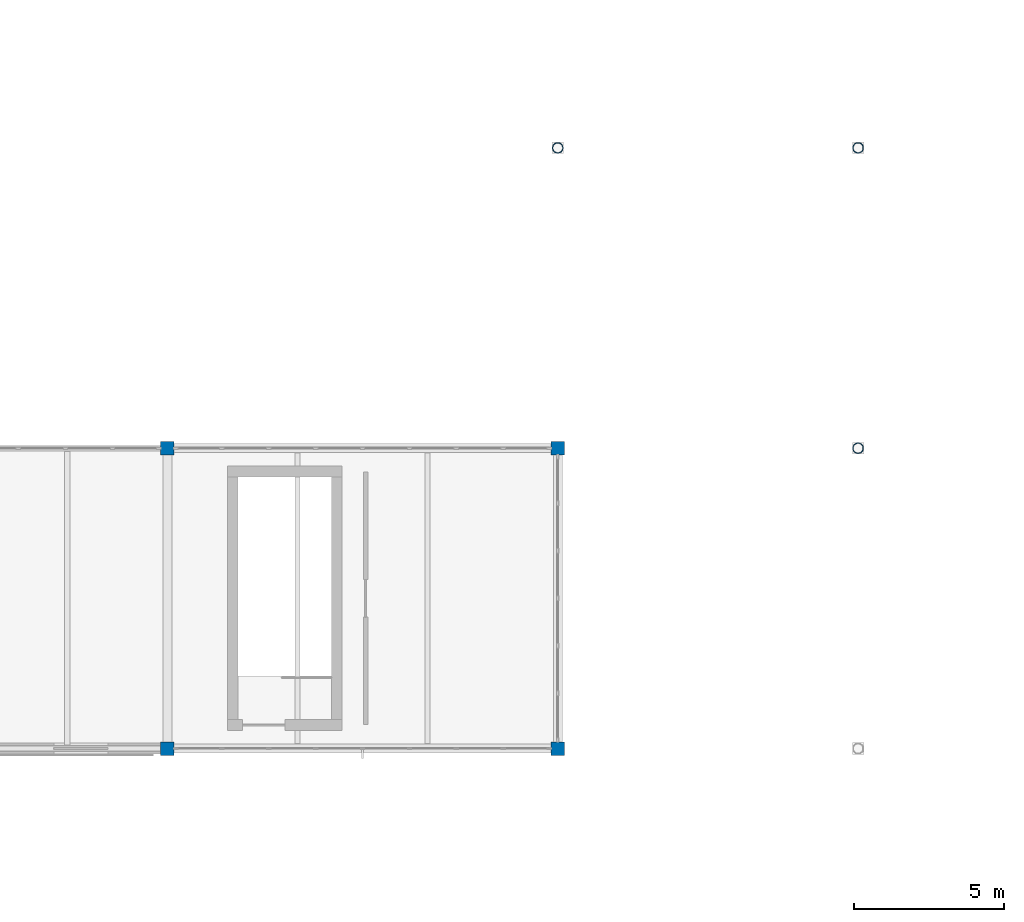
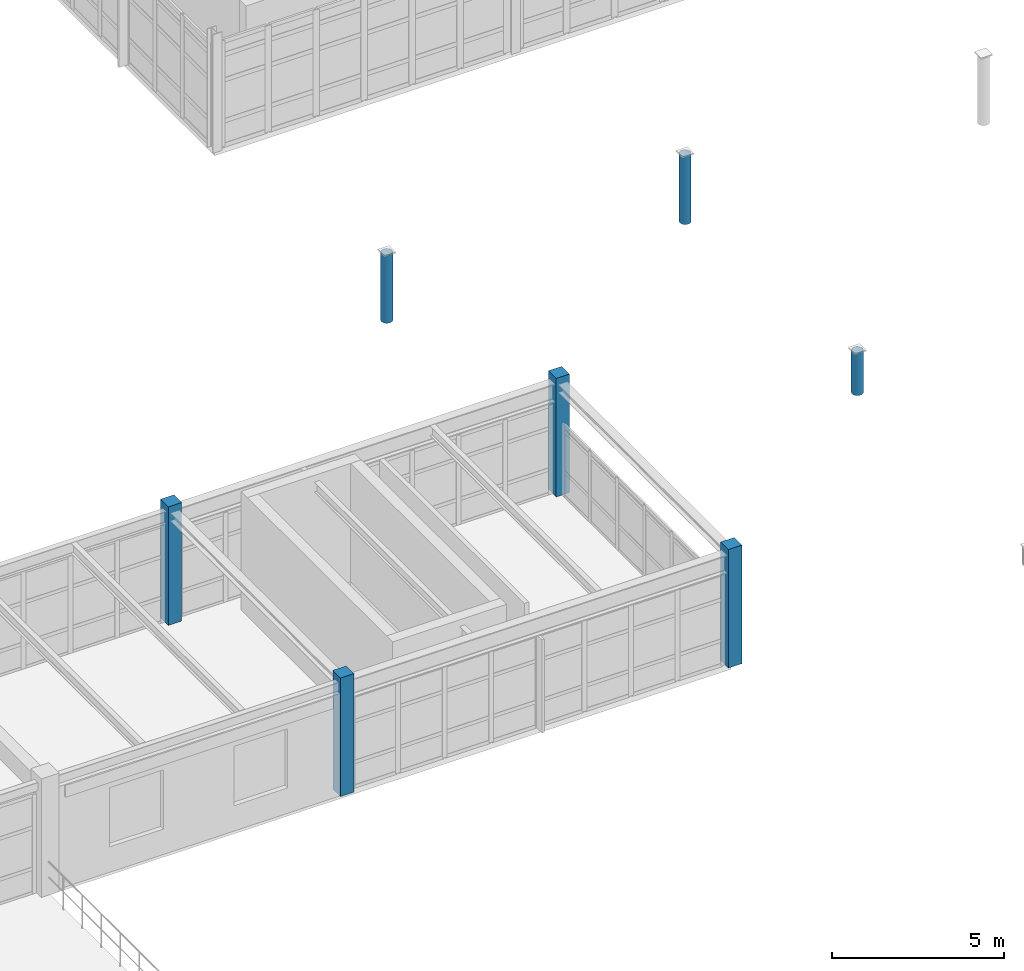
# One storey, part 3 of 122: 7 columns.
"""IFC4 building model written with IfcOpenShell, lengths in metres."""

from ifc_helpers import new_model, si_unit, direction, frame, origin, origin_2d, place, context, subcontext, project, spatial, rectangle, hollow_circle, extrude, material, material_profile, profile_set, type_object, element, save


model = new_model("IFC4")

# Units and contexts
model_context = context("Model", 3, precision=1e-05, world=origin(), true_north=direction((0.0, 1.0)))
body_context = subcontext(model_context, "Body", "Model", "MODEL_VIEW")
ifc_project = project(units=[si_unit("LENGTHUNIT", "METRE"), si_unit("AREAUNIT", "SQUARE_METRE"), si_unit("VOLUMEUNIT", "CUBIC_METRE"), si_unit("PLANEANGLEUNIT", "RADIAN"), si_unit("MASSUNIT", "GRAM", prefix="KILO"), si_unit("THERMODYNAMICTEMPERATUREUNIT", "KELVIN"), si_unit("POWERUNIT", "WATT")], contexts=[model_context])

# Site, building, storey
site_placement = place(None, origin())
site = spatial("IfcSite", under=ifc_project, at=site_placement, CompositionType="ELEMENT")
building_placement = place(site_placement, origin())
building = spatial("IfcBuilding", under=site, at=building_placement, Name="Korenveer Ferry Terminal", CompositionType="ELEMENT")
storey_placement = place(building_placement, frame((0.0, 0.0, 10.199951171875)))
storey = spatial("IfcBuildingStorey", under=building, at=storey_placement, Name="L02", CompositionType="ELEMENT", Elevation=10.199951171875)

# Columns
ifc_material_1 = material(Name="Steel S355", Category="steel")
ifc_material_profile_1 = material_profile(ifc_material_1, hollow_circle(Radius=0.177734375, WallThickness=0.01611328125, at=origin_2d()), Name="CHS 355.6x16")
ifc_profile_set_1 = profile_set([ifc_material_profile_1], Name="Steel S355")
column_type_1 = type_object("IfcColumnType", Name="STR-COL-CHS355", PredefinedType="COLUMN", material=ifc_profile_set_1)
column_1_placement = place(storey_placement, frame((53.0, 40.0, 0.001953125), z_axis=(0.0, 0.0, 1.0), x_axis=(1.0, 0.0, 0.0)))
element("IfcColumn", 1, at=column_1_placement, inside=storey, type_object=column_type_1, Name="Folded roof valley support column RCOL-X53-Y40", PredefinedType="COLUMN", context=body_context, shape_type="SweptSolid", body=[
    extrude(hollow_circle(Radius=0.177734375, WallThickness=0.01611328125, at=origin_2d()), origin(), (0.0, 0.0, 1.0), 2.412353515625),
])
column_2_placement = place(storey_placement, frame((63.0, 30.0, 0.001953125), z_axis=(0.0, 0.0, 1.0), x_axis=(1.0, 0.0, 0.0)))
element("IfcColumn", 2, at=column_2_placement, inside=storey, type_object=column_type_1, Name="Folded roof valley support column RCOL-X63-Y30", PredefinedType="COLUMN", context=body_context, shape_type="SweptSolid", body=[
    extrude(hollow_circle(Radius=0.177734375, WallThickness=0.01611328125, at=origin_2d()), origin(), (0.0, 0.0, 1.0), 1.50439453125),
])
column_3_placement = place(storey_placement, frame((63.0, 40.0, 0.001953125), z_axis=(0.0, 0.0, 1.0), x_axis=(1.0, 0.0, 0.0)))
element("IfcColumn", 3, at=column_3_placement, inside=storey, type_object=column_type_1, Name="Folded roof valley support column RCOL-X63-Y40", PredefinedType="COLUMN", context=body_context, shape_type="SweptSolid", body=[
    extrude(hollow_circle(Radius=0.177734375, WallThickness=0.01611328125, at=origin_2d()), origin(), (0.0, 0.0, 1.0), 2.412353515625),
])
ifc_material_2 = material(Name="Concrete C45/55", Category="concrete")
ifc_material_profile_2 = material_profile(ifc_material_2, rectangle(XDim=0.449951171875, YDim=0.449951171875, at=origin_2d()), Name="RC 450x450")
ifc_profile_set_2 = profile_set([ifc_material_profile_2], Name="Concrete C45/55")
column_type_2 = type_object("IfcColumnType", Name="STR-COL-RC450", PredefinedType="COLUMN", material=ifc_profile_set_2)
for number, where, z_axis, x_axis, name in (
    (4, (40.0, 20.0, 0.0), (0.0, 0.0, 1.0), (1.0, 0.0, 0.0), "Column COL-L02-X40-Y20"),
    (5, (40.0, 30.0, 0.0), (0.0, 0.0, 1.0), (1.0, 0.0, 0.0), "Column COL-L02-X40-Y30"),
    (6, (53.0, 20.0, 0.0), (0.0, 0.0, 1.0), (1.0, 0.0, 0.0), "Column COL-L02-X53-Y20"),
    (7, (53.0, 30.0, 0.0), (0.0, 0.0, 1.0), (1.0, 0.0, 0.0), "Column COL-L02-X53-Y30"),
):
    element("IfcColumn", number, at=place(storey_placement, frame(where, z_axis=z_axis, x_axis=x_axis)), inside=storey, type_object=column_type_2, Name=name, PredefinedType="COLUMN", context=body_context, shape_type="SweptSolid", body=[
        extrude(rectangle(XDim=0.449951171875, YDim=0.449951171875, at=origin_2d()), origin(), (0.0, 0.0, 1.0), 4.199951171875),
    ])

save(model, "model.ifc")
